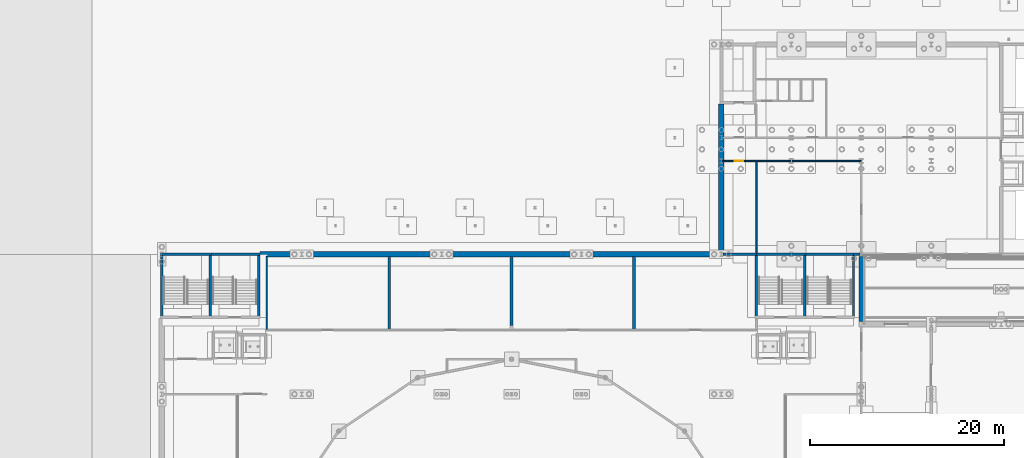
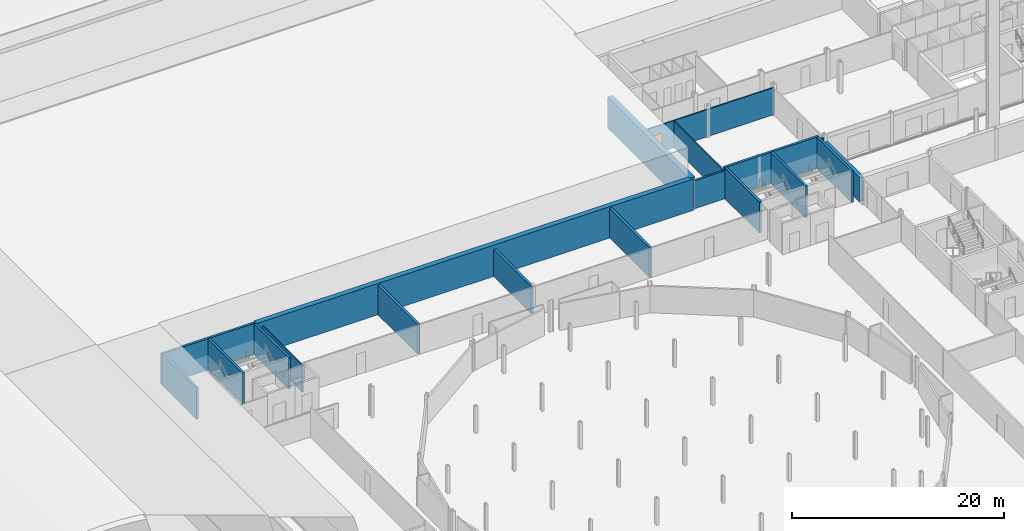
# One storey, part 87 of 148: 21 walls, 1 door, 1 opening.
"""IFC4 building model written with IfcOpenShell, lengths in metres."""

from ifc_helpers import new_model, si_unit, direction, frame, frame_2d, origin, place, context, subcontext, project, spatial, rectangle, extrude, material, layer, layer_set, type_object, element, fill, save


model = new_model("IFC4")

# Units and contexts
model_context = context("Model", 3, precision=1e-05, world=origin(), true_north=direction((0.0, 1.0)))
body_context = subcontext(model_context, "Body", "Model", "MODEL_VIEW")
ifc_project = project(units=[si_unit("LENGTHUNIT", "METRE"), si_unit("AREAUNIT", "SQUARE_METRE"), si_unit("VOLUMEUNIT", "CUBIC_METRE"), si_unit("PLANEANGLEUNIT", "RADIAN"), si_unit("MASSUNIT", "GRAM", prefix="KILO")], contexts=[model_context])

# Site, building, storey
site_placement = place(None, origin())
site = spatial("IfcSite", under=ifc_project, at=site_placement, CompositionType="ELEMENT")
building_placement = place(site_placement, origin())
building = spatial("IfcBuilding", under=site, at=building_placement, Name="Kupolbacken Congress Centre", CompositionType="ELEMENT")
storey_placement = place(building_placement, origin())
storey = spatial("IfcBuildingStorey", under=building, at=storey_placement, Name="L00", CompositionType="ELEMENT", Elevation=0.0)

# Walls
ifc_material_1 = material(Name="Limestone", Category="masonry")
ifc_layer_1 = layer(ifc_material_1, 0.1201171875)
ifc_material_2 = material(Name="Air cavity", Category="air")
ifc_layer_2 = layer(ifc_material_2, 0.0400390625, ventilated=True)
ifc_material_3 = material(Name="Mineral wool", Category="insulation")
ifc_layer_3 = layer(ifc_material_3, 0.159912109375)
ifc_material_4 = material(Name="Concrete block", Category="masonry")
ifc_layer_4 = layer(ifc_material_4, 0.1201171875)
ifc_layer_set_1 = layer_set([ifc_layer_1, ifc_layer_2, ifc_layer_3, ifc_layer_4], Name="Limestone / Mineral wool / Concrete block")
wall_type_1 = type_object("IfcWallType", Name="EW05 external cavity wall 440", PredefinedType="SOLIDWALL", material=ifc_layer_set_1)
wall_1_placement = place(storey_placement, frame((79.199951171875, 115.47998046875, 0.0), z_axis=(0.0, 0.0, 1.0), x_axis=(0.0, 1.0, 0.0)))
element("IfcWall", 1, at=wall_1_placement, inside=storey, type_object=wall_type_1, Name="E/P/E/L00/093", PredefinedType="SOLIDWALL", context=body_context, shape_type="SweptSolid", body=[
    extrude(rectangle(XDim=6.7041015625, YDim=0.43994140625, at=frame_2d((3.35205078125, 0.0))), origin(), (0.0, 0.0, 1.0), 2.81005859375),
])
ifc_material_5 = material(Name="Gypsum board", Category="drywall")
ifc_layer_5 = layer(ifc_material_5, 0.135009765625)
ifc_layer_set_2 = layer_set([ifc_layer_5], Name="Gypsum board")
wall_type_2 = type_object("IfcWallType", Name="P06 compartment wall 135", PredefinedType="PARTITIONING", material=ifc_layer_set_2)
wall_2_placement = place(storey_placement, frame((18.0, 122.179931640625, 0.0), z_axis=(0.0, 0.0, 1.0), x_axis=(0.0, -1.0, 0.0)))
element("IfcWall", 2, at=wall_2_placement, inside=storey, type_object=wall_type_2, Name="PD/L00/W008", PredefinedType="PARTITIONING", context=body_context, shape_type="SweptSolid", body=[
    extrude(rectangle(XDim=7.512451171875, YDim=0.135009765625, at=frame_2d((3.75634765625, 0.0))), origin(), (0.0, 0.0, 1.0), 3.110107421875),
])

# Wall, opening, door
wall_3_placement = place(storey_placement, frame((64.949951171875, 132.0, 0.0), z_axis=(0.0, 0.0, 1.0), x_axis=(1.0, 0.0, 0.0)))
wall_3 = element("IfcWall", 3, at=wall_3_placement, inside=storey, type_object=wall_type_2, Name="T/wall/L00/x/13200/6480", PredefinedType="PARTITIONING", context=body_context, shape_type="SweptSolid", body=[
    extrude(rectangle(XDim=14.317626953125, YDim=0.135009765625, at=frame_2d((7.15869140625, 0.0))), origin(), (0.0, 0.0, 1.0), 3.1201171875),
])
opening_placement = place(wall_3_placement, frame((1.22509765625, 0.0, 0.0)))
opening = element("IfcOpeningElement", 4, at=opening_placement, cuts=wall_3, Name="Opening D3", PredefinedType="OPENING", context=body_context, shape_type="SweptSolid", body=[
    extrude(rectangle(XDim=0.85009765625, YDim=2.10009765625, at=frame_2d((0.425048828125, 1.050048828125))), frame((0.0, 0.077392578125, 0.0), z_axis=(0.0, -1.0, 0.0), x_axis=(1.0, 0.0, 0.0)), (0.0, 0.0, 1.0), 0.155029296875),
])
ifc_material_6 = material(Name="Steel fire door leaf", Category="steel")
door_type = type_object("IfcDoorType", Name="D3 fire door 850x2100", OperationType="SINGLE_SWING_LEFT", PredefinedType="DOOR", material=ifc_material_6)
door_placement = place(opening_placement, frame((0.85009765625, 0.0, 0.0), z_axis=(0.0, 0.0, 1.0), x_axis=(-1.0, 0.0, 0.0)))
door = element("IfcDoor", 5, at=door_placement, inside=storey, type_object=door_type, Name="T/wall/L00/x/13200/6480/D-LST-D", OperationType="SINGLE_SWING_LEFT", OverallHeight=2.10009765625, OverallWidth=0.85009765625, PredefinedType="DOOR", context=body_context, shape_type="SweptSolid", body=[
    extrude(rectangle(XDim=0.85009765625, YDim=2.10009765625, at=frame_2d((0.425048828125, 1.050048828125))), frame((0.0, 0.02490234375, 0.0), z_axis=(0.0, -1.0, 0.0), x_axis=(1.0, 0.0, 0.0)), (0.0, 0.0, 1.0), 0.050048828125),
])
fill(opening, door)

# Walls
wall_4_placement = place(storey_placement, frame((68.39990234375, 122.52490234375, 0.0), z_axis=(0.0, 0.0, 1.0), x_axis=(0.0, 1.0, 0.0)))
element("IfcWall", 6, at=wall_4_placement, inside=storey, type_object=wall_type_2, Name="T/wall/L00/y/6840/12252", PredefinedType="PARTITIONING", context=body_context, shape_type="SweptSolid", body=[
    extrude(rectangle(XDim=9.40771484375, YDim=0.135009765625, at=frame_2d((4.703857421875, 0.0))), origin(), (0.0, 0.0, 1.0), 3.02001953125),
])
ifc_material_7 = material(Name="Gypsum board", Category="drywall")
ifc_layer_6 = layer(ifc_material_7, 0.22509765625)
ifc_layer_set_3 = layer_set([ifc_layer_6], Name="Gypsum board")
wall_type_3 = type_object("IfcWallType", Name="P11 compartment wall 225", PredefinedType="PARTITIONING", material=ifc_layer_set_3)
wall_5_placement = place(storey_placement, frame((64.949951171875, 122.39990234375, 0.0), z_axis=(0.0, 0.0, 1.0), x_axis=(1.0, 0.0, 0.0)))
element("IfcWall", 7, at=wall_5_placement, inside=storey, type_object=wall_type_3, Name="E/T/party/L00/01", PredefinedType="PARTITIONING", context=body_context, shape_type="SweptSolid", body=[
    extrude(rectangle(XDim=3.449951171875, YDim=0.22509765625, at=frame_2d((1.72509765625, 0.0))), origin(), (0.0, 0.0, 1.0), 3.2099609375),
])
wall_6_placement = place(storey_placement, frame((78.39990234375, 122.39990234375, 0.0), z_axis=(0.0, 0.0, 1.0), x_axis=(1.0, 0.0, 0.0)))
element("IfcWall", 8, at=wall_6_placement, inside=storey, type_object=wall_type_3, Name="E/T/party/L00/02", PredefinedType="PARTITIONING", context=body_context, shape_type="SweptSolid", body=[
    extrude(rectangle(XDim=0.646484375, YDim=0.22509765625, at=frame_2d((0.3232421875, 0.0))), origin(), (0.0, 0.0, 1.0), 3.2099609375),
])
ifc_material_8 = material(Name="Gypsum board", Category="drywall")
ifc_layer_7 = layer(ifc_material_8, 0.27490234375)
ifc_layer_set_4 = layer_set([ifc_layer_7], Name="Gypsum board")
wall_type_4 = type_object("IfcWallType", Name="P12 partition 275", PredefinedType="PARTITIONING", material=ifc_layer_set_4)
wall_7_placement = place(storey_placement, frame((30.60009765625, 122.179931640625, 0.0), z_axis=(0.0, 0.0, 1.0), x_axis=(0.0, -1.0, 0.0)))
element("IfcWall", 9, at=wall_7_placement, inside=storey, type_object=wall_type_4, Name="PD/L00/W085", PredefinedType="PARTITIONING", context=body_context, shape_type="SweptSolid", body=[
    extrude(rectangle(XDim=7.512451171875, YDim=0.27490234375, at=frame_2d((3.75634765625, 0.0))), origin(), (0.0, 0.0, 1.0), 3.419921875),
])
wall_8_placement = place(storey_placement, frame((43.199951171875, 122.179931640625, 0.0), z_axis=(0.0, 0.0, 1.0), x_axis=(0.0, -1.0, 0.0)))
element("IfcWall", 10, at=wall_8_placement, inside=storey, type_object=wall_type_4, Name="PD/L00/W087", PredefinedType="PARTITIONING", context=body_context, shape_type="SweptSolid", body=[
    extrude(rectangle(XDim=7.08984375, YDim=0.27490234375, at=frame_2d((3.544921875, 0.0))), origin(), (0.0, 0.0, 1.0), 3.110107421875),
])
wall_9_placement = place(storey_placement, frame((55.800048828125, 122.179931640625, 0.0), z_axis=(0.0, 0.0, 1.0), x_axis=(0.0, -1.0, 0.0)))
element("IfcWall", 11, at=wall_9_placement, inside=storey, type_object=wall_type_4, Name="PD/L00/W089", PredefinedType="PARTITIONING", context=body_context, shape_type="SweptSolid", body=[
    extrude(rectangle(XDim=7.512451171875, YDim=0.27490234375, at=frame_2d((3.75634765625, 0.0))), origin(), (0.0, 0.0, 1.0), 3.419921875),
])
ifc_material_9 = material(Name="Concrete C30/37", Category="concrete")
ifc_layer_8 = layer(ifc_material_9, 0.550048828125)
ifc_layer_set_5 = layer_set([ifc_layer_8], Name="Concrete C30/37")
wall_type_5 = type_object("IfcWallType", Name="RW3 retaining wall 550", PredefinedType="SOLIDWALL", material=ifc_layer_set_5)
wall_10_placement = place(storey_placement, frame((17.324951171875, 122.39990234375, 0.0), z_axis=(0.0, 0.0, 1.0), x_axis=(1.0, 0.0, 0.0)))
element("IfcWall", 12, at=wall_10_placement, inside=storey, type_object=wall_type_5, Name="Retaining wall BF07 L00", PredefinedType="SOLIDWALL", context=body_context, shape_type="SweptSolid", body=[
    extrude(rectangle(XDim=47.47509765625, YDim=0.550048828125, at=frame_2d((23.737548828125, 0.0))), origin(), (0.0, 0.0, 1.0), 3.60009765625),
])
wall_11_placement = place(storey_placement, frame((64.800048828125, 122.39990234375, 0.0), z_axis=(0.0, 0.0, 1.0), x_axis=(0.0, 1.0, 0.0)))
element("IfcWall", 13, at=wall_11_placement, inside=storey, type_object=wall_type_5, Name="Retaining wall BF11 L00", PredefinedType="SOLIDWALL", context=body_context, shape_type="SweptSolid", body=[
    extrude(rectangle(XDim=15.4501953125, YDim=0.550048828125, at=frame_2d((7.72509765625, 0.0))), origin(), (0.0, 0.0, 1.0), 3.60009765625),
])
ifc_material_10 = material(Name="Concrete C40/50", Category="concrete")
ifc_layer_9 = layer(ifc_material_10, 0.25)
ifc_layer_set_6 = layer_set([ifc_layer_9], Name="Concrete C40/50")
wall_type_6 = type_object("IfcWallType", Name="WC2 RC stair enclosure wall 250", PredefinedType="SHEAR", material=ifc_layer_set_6)
for number, where, z_axis, x_axis, name in (
    (14, (12.199951171875, 115.77490234375, 0.0), (0.0, 0.0, 1.0), (0.0, 1.0, 0.0), "Stair enclosure wall L00-066"),
    (15, (17.199951171875, 115.77490234375, 0.0), (0.0, 0.0, 1.0), (0.0, 1.0, 0.0), "Stair enclosure wall L00-067"),
    (16, (73.39990234375, 115.77490234375, 0.0), (0.0, 0.0, 1.0), (0.0, 1.0, 0.0), "Stair enclosure wall L00-070"),
    (17, (78.39990234375, 115.77490234375, 0.0), (0.0, 0.0, 1.0), (0.0, 1.0, 0.0), "Stair enclosure wall L00-071"),
    (18, (7.199951171875, 122.52490234375, 0.0), (0.0, 0.0, 1.0), (0.0, -1.0, 0.0), "Stair enclosure wall L00-072"),
):
    element("IfcWall", number, at=place(storey_placement, frame(where, z_axis=z_axis, x_axis=x_axis)), inside=storey, type_object=wall_type_6, Name=name, PredefinedType="SHEAR", context=body_context, shape_type="SweptSolid", body=[
        extrude(rectangle(XDim=6.75, YDim=0.25, at=frame_2d((3.375, 0.0))), origin(), (0.0, 0.0, 1.0), 3.60009765625),
    ])
wall_12_placement = place(storey_placement, frame((12.324951171875, 122.39990234375, 0.0), z_axis=(0.0, 0.0, 1.0), x_axis=(-1.0, 0.0, 0.0)))
element("IfcWall", 19, at=wall_12_placement, inside=storey, type_object=wall_type_6, Name="Stair enclosure wall L00-073", PredefinedType="SHEAR", context=body_context, shape_type="SweptSolid", body=[
    extrude(rectangle(XDim=5.25, YDim=0.25, at=frame_2d((2.625, 0.0))), origin(), (0.0, 0.0, 1.0), 3.60009765625),
])
wall_13_placement = place(storey_placement, frame((17.324951171875, 122.39990234375, 0.0), z_axis=(0.0, 0.0, 1.0), x_axis=(-1.0, 0.0, 0.0)))
element("IfcWall", 20, at=wall_13_placement, inside=storey, type_object=wall_type_6, Name="Stair enclosure wall L00-074", PredefinedType="SHEAR", context=body_context, shape_type="SweptSolid", body=[
    extrude(rectangle(XDim=5.0, YDim=0.25, at=frame_2d((2.5, 0.0))), origin(), (0.0, 0.0, 1.0), 3.60009765625),
])
wall_14_placement = place(storey_placement, frame((68.39990234375, 122.52490234375, 0.0), z_axis=(0.0, 0.0, 1.0), x_axis=(0.0, -1.0, 0.0)))
element("IfcWall", 21, at=wall_14_placement, inside=storey, type_object=wall_type_6, Name="Stair enclosure wall L00-075", PredefinedType="SHEAR", context=body_context, shape_type="SweptSolid", body=[
    extrude(rectangle(XDim=6.75, YDim=0.25, at=frame_2d((3.375, 0.0))), origin(), (0.0, 0.0, 1.0), 3.60009765625),
])
wall_15_placement = place(storey_placement, frame((73.52490234375, 122.39990234375, 0.0), z_axis=(0.0, 0.0, 1.0), x_axis=(-1.0, 0.0, 0.0)))
element("IfcWall", 22, at=wall_15_placement, inside=storey, type_object=wall_type_6, Name="Stair enclosure wall L00-076", PredefinedType="SHEAR", context=body_context, shape_type="SweptSolid", body=[
    extrude(rectangle(XDim=5.25, YDim=0.25, at=frame_2d((2.625, 0.0))), origin(), (0.0, 0.0, 1.0), 3.60009765625),
])
wall_16_placement = place(storey_placement, frame((78.52490234375, 122.39990234375, 0.0), z_axis=(0.0, 0.0, 1.0), x_axis=(-1.0, 0.0, 0.0)))
element("IfcWall", 23, at=wall_16_placement, inside=storey, type_object=wall_type_6, Name="Stair enclosure wall L00-077", PredefinedType="SHEAR", context=body_context, shape_type="SweptSolid", body=[
    extrude(rectangle(XDim=5.0, YDim=0.25, at=frame_2d((2.5, 0.0))), origin(), (0.0, 0.0, 1.0), 3.60009765625),
])

save(model, "model.ifc")
